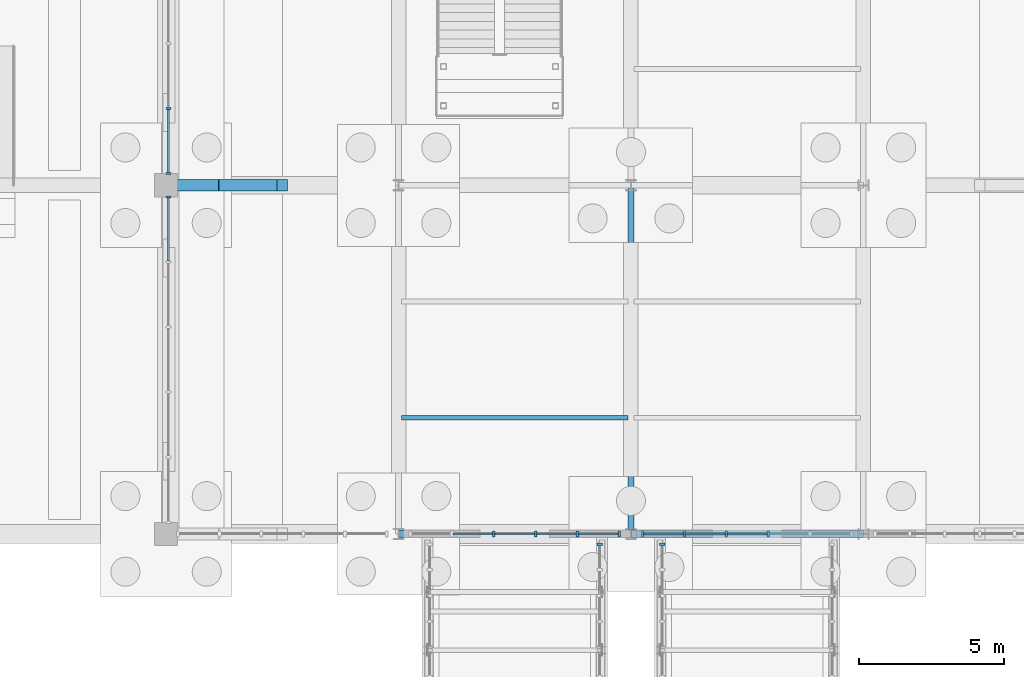
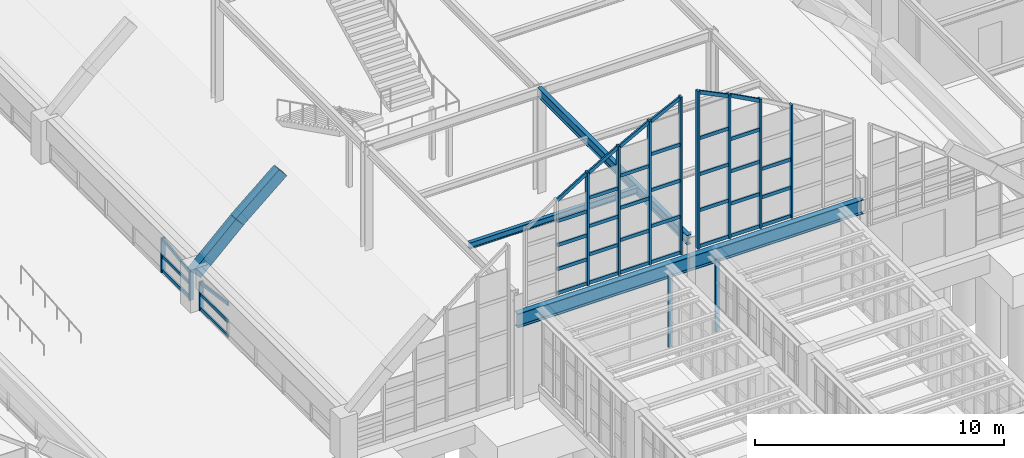
# One storey, part 40 of 129: 52 members, 6 beams, 6 elements without a shape of their own.
"""IFC4 building model written with IfcOpenShell, lengths in metres."""

from ifc_helpers import new_model, si_unit, direction, frame, origin, origin_2d, place, context, subcontext, project, spatial, rectangle, i_section, extrude, material, layer, layer_set, material_profile, profile_set, type_object, element, aggregate, save


model = new_model("IFC4")

# Units and contexts
model_context = context("Model", 3, precision=1e-05, world=origin(), true_north=direction((0.0, 1.0)))
body_context = subcontext(model_context, "Body", "Model", "MODEL_VIEW")
ifc_project = project(units=[si_unit("LENGTHUNIT", "METRE"), si_unit("AREAUNIT", "SQUARE_METRE"), si_unit("VOLUMEUNIT", "CUBIC_METRE"), si_unit("PLANEANGLEUNIT", "RADIAN"), si_unit("MASSUNIT", "GRAM", prefix="KILO")], contexts=[model_context])

# Site, building, storey
site_placement = place(None, origin())
site = spatial("IfcSite", under=ifc_project, at=site_placement, CompositionType="ELEMENT")
building_placement = place(site_placement, origin())
building = spatial("IfcBuilding", under=site, at=building_placement, Name="Sitalva Quay Ferry Terminal", CompositionType="ELEMENT")
storey_placement = place(building_placement, origin())
storey = spatial("IfcBuildingStorey", under=building, at=storey_placement, Name="L01", CompositionType="ELEMENT", Elevation=0.0)

# Beams
ifc_material_1 = material(Name="Concrete C40/50", Category="concrete")
ifc_material_profile_1 = material_profile(ifc_material_1, rectangle(XDim=0.39990234375, YDim=0.550048828125, at=origin_2d()), Name="RC400x550")
ifc_profile_set_1 = profile_set([ifc_material_profile_1], Name="Concrete C40/50")
beam_type_1 = type_object("IfcBeamType", Name="Beam_Arch_RC400x550", PredefinedType="BEAM", material=ifc_profile_set_1)
beam_1_placement = place(storey_placement, frame((42.0, 18.0, 1.6044921875), z_axis=(0.725680279623, 0.0, 0.688032071757), x_axis=(0.0, 1.0, 0.0)))
element("IfcBeam", 1, at=beam_1_placement, inside=storey, type_object=beam_type_1, Name="Vault V1 transverse arch rib 2.1", PredefinedType="BEAM", context=body_context, shape_type="SweptSolid", body=[
    extrude(rectangle(XDim=0.39990234375, YDim=0.550048828125, at=origin_2d()), origin(), (0.0, 0.0, 1.0), 2.756103515625),
])
beam_2_placement = place(storey_placement, frame((44.0, 18.0, 3.5107421875), z_axis=(0.760297282494, 0.0, 0.649575278342), x_axis=(0.0, 1.0, 0.0)))
element("IfcBeam", 2, at=beam_2_placement, inside=storey, type_object=beam_type_1, Name="Vault V1 transverse arch rib 2.2", PredefinedType="BEAM", context=body_context, shape_type="SweptSolid", body=[
    extrude(rectangle(XDim=0.39990234375, YDim=0.550048828125, at=origin_2d()), origin(), (0.0, 0.0, 1.0), 2.630615234375),
])
ifc_material_2 = material(Name="Structural Steel S355JR", Category="steel")
ifc_material_profile_2 = material_profile(ifc_material_2, i_section(OverallWidth=0.194091796875, OverallDepth=0.468994140625, WebThickness=0.0126953125, FlangeThickness=0.0205078125, FilletRadius=0.013916015625, at=origin_2d()), Name="W460x106")
ifc_profile_set_2 = profile_set([ifc_material_profile_2], Name="Structural Steel S355JR")
beam_type_2 = type_object("IfcBeamType", Name="Girder_W460x106", PredefinedType="USERDEFINED", material=ifc_profile_set_2)
beam_3_placement = place(storey_placement, frame((58.0, 6.0, 4.885498046875), z_axis=(0.0, 1.0, 0.0), x_axis=(-1.0, 0.0, 0.0)))
element("IfcBeam", 3, at=beam_3_placement, inside=storey, type_object=beam_type_2, Name="L01 Primary Y girder 0136", ObjectType="GIRDER", PredefinedType="USERDEFINED", context=body_context, shape_type="SweptSolid", body=[
    extrude(i_section(OverallWidth=0.194091796875, OverallDepth=0.468994140625, WebThickness=0.0126953125, FlangeThickness=0.0205078125, FilletRadius=0.013916015625, at=origin_2d()), origin(), (0.0, 0.0, 1.0), 12.0),
])
ifc_material_3 = material(Name="Structural Steel S355JR", Category="steel")
ifc_material_profile_3 = material_profile(ifc_material_3, i_section(OverallWidth=0.256103515625, OverallDepth=0.693115234375, WebThickness=0.014404296875, FlangeThickness=0.023681640625, FilletRadius=0.01806640625, at=origin_2d()), Name="W690x170")
ifc_profile_set_3 = profile_set([ifc_material_profile_3], Name="Structural Steel S355JR")
beam_type_3 = type_object("IfcBeamType", Name="Girder_W690x170", PredefinedType="USERDEFINED", material=ifc_profile_set_3)
for number, where, z_axis, x_axis, name in (
    (4, (50.0, 6.0, 3.783447265625), (1.0, 0.0, 0.0), (0.0, 1.0, 0.0), "L01 V1 south gable west portal header 0002"),
    (5, (58.0, 6.0, 3.783447265625), (1.0, 0.0, 0.0), (0.0, 1.0, 0.0), "L01 V1 south gable mid portal header 0003"),
):
    element("IfcBeam", number, at=place(storey_placement, frame(where, z_axis=z_axis, x_axis=x_axis)), inside=storey, type_object=beam_type_3, Name=name, ObjectType="GIRDER", PredefinedType="USERDEFINED", context=body_context, shape_type="SweptSolid", body=[
        extrude(i_section(OverallWidth=0.256103515625, OverallDepth=0.693115234375, WebThickness=0.014404296875, FlangeThickness=0.023681640625, FilletRadius=0.01806640625, at=origin_2d()), origin(), (0.0, 0.0, 1.0), 8.0),
    ])
ifc_material_4 = material(Name="Structural Steel S355JR", Category="steel")
ifc_material_profile_4 = material_profile(ifc_material_4, i_section(OverallWidth=0.166015625, OverallDepth=0.31298828125, WebThickness=0.006591796875, FlangeThickness=0.01123046875, FilletRadius=0.010986328125, at=origin_2d()), Name="W310x45")
ifc_profile_set_4 = profile_set([ifc_material_profile_4], Name="Structural Steel S355JR")
beam_type_4 = type_object("IfcBeamType", Name="Joist_W310x45", PredefinedType="JOIST", material=ifc_profile_set_4)
beam_4_placement = place(storey_placement, frame((50.096923828125, 10.0, 4.96337890625), z_axis=(1.0, 0.0, 0.0), x_axis=(0.0, 1.0, 0.0)))
element("IfcBeam", 6, at=beam_4_placement, inside=storey, type_object=beam_type_4, Name="L01 Secondary joist 0140", PredefinedType="JOIST", context=body_context, shape_type="SweptSolid", body=[
    extrude(i_section(OverallWidth=0.166015625, OverallDepth=0.31298828125, WebThickness=0.006591796875, FlangeThickness=0.01123046875, FilletRadius=0.010986328125, at=origin_2d()), origin(), (0.0, 0.0, 1.0), 7.80615234375),
])

# Curtain wall, member
ifc_material_5 = material(Name="Anodised Aluminium & Low-E Glazing", Category="aluminium")
ifc_layer_1 = layer(ifc_material_5, 0.159912109375)
ifc_layer_set_1 = layer_set([ifc_layer_1], Name="Anodised Aluminium & Low-E Glazing")
curtain_wall_type_1 = type_object("IfcCurtainWallType", Name="CW_VaultArch_Glazed", PredefinedType="USERDEFINED", material=ifc_layer_set_1)
curtain_wall_1_placement = place(storey_placement, origin())
curtain_wall_1 = element("IfcCurtainWall", 7, at=curtain_wall_1_placement, inside=storey, type_object=curtain_wall_type_1, Name="V1-W shallow-arch base glazing (CW-L01-014)", ObjectType="CURTAIN_WALL", PredefinedType="USERDEFINED")
ifc_material_6 = material(Name="Anodised Aluminium 6063-T6", Category="aluminium")
ifc_material_profile_5 = material_profile(ifc_material_6, rectangle(XDim=0.070068359375, YDim=0.181884765625, at=origin_2d()), Name="ALU70x182")
ifc_profile_set_5 = profile_set([ifc_material_profile_5], Name="Anodised Aluminium 6063-T6")
member_type_1 = type_object("IfcMemberType", Name="Mullion_Alu_65x170", PredefinedType="MULLION", material=ifc_profile_set_5)
member_1_placement = place(storey_placement, frame((42.080078125, 17.60009765625, 0.0), z_axis=(0.0, 0.0, 1.0), x_axis=(0.0, 1.0, 0.0)))
member_1 = element("IfcMember", 8, at=member_1_placement, type_object=member_type_1, Name="CW-L01-014-M5", PredefinedType="MULLION", context=body_context, shape_type="SweptSolid", body=[
    extrude(rectangle(XDim=0.070068359375, YDim=0.181884765625, at=origin_2d()), origin(), (0.0, 0.0, 1.0), 1.39990234375),
])

# Curtain wall, members
curtain_wall_2_placement = place(storey_placement, origin())
curtain_wall_2 = element("IfcCurtainWall", 9, at=curtain_wall_2_placement, inside=storey, type_object=curtain_wall_type_1, Name="V1-W shallow-arch base glazing (CW-L01-017)", ObjectType="CURTAIN_WALL", PredefinedType="USERDEFINED")
member_2_placement = place(storey_placement, frame((42.080078125, 18.39990234375, 0.0), z_axis=(0.0, 0.0, 1.0), x_axis=(0.0, 1.0, 0.0)))
member_2 = element("IfcMember", 10, at=member_2_placement, type_object=member_type_1, Name="CW-L01-017-M0", PredefinedType="MULLION", context=body_context, shape_type="SweptSolid", body=[
    extrude(rectangle(XDim=0.070068359375, YDim=0.181884765625, at=origin_2d()), origin(), (0.0, 0.0, 1.0), 1.39990234375),
])
member_3_placement = place(storey_placement, frame((42.080078125, 20.639892578125, 0.0), z_axis=(0.0, 0.0, 1.0), x_axis=(0.0, 1.0, 0.0)))
member_3 = element("IfcMember", 11, at=member_3_placement, type_object=member_type_1, Name="CW-L01-017-M1", PredefinedType="MULLION", context=body_context, shape_type="SweptSolid", body=[
    extrude(rectangle(XDim=0.070068359375, YDim=0.181884765625, at=origin_2d()), origin(), (0.0, 0.0, 1.0), 1.707275390625),
])

# Curtain wall, member
ifc_material_7 = material(Name="Anodised Aluminium & Low-E Glazing", Category="aluminium")
ifc_layer_2 = layer(ifc_material_7, 0.159912109375)
ifc_layer_set_2 = layer_set([ifc_layer_2], Name="Anodised Aluminium & Low-E Glazing")
curtain_wall_type_2 = type_object("IfcCurtainWallType", Name="CW_Bridge_Glazed", PredefinedType="USERDEFINED", material=ifc_layer_set_2)
curtain_wall_3_placement = place(storey_placement, origin())
curtain_wall_3 = element("IfcCurtainWall", 12, at=curtain_wall_3_placement, inside=storey, type_object=curtain_wall_type_2, Name="Boarding bridge BB2 E4 side glazing (CW-L01-048)", ObjectType="CURTAIN_WALL", PredefinedType="USERDEFINED")
ifc_material_8 = material(Name="Anodised Aluminium 6063-T6", Category="aluminium")
ifc_material_profile_6 = material_profile(ifc_material_8, rectangle(XDim=0.080078125, YDim=0.18505859375, at=origin_2d()), Name="ALU80x185")
ifc_profile_set_6 = profile_set([ifc_material_profile_6], Name="Anodised Aluminium 6063-T6")
member_type_2 = type_object("IfcMemberType", Name="Mullion_Alu_80x185", PredefinedType="MULLION", material=ifc_profile_set_6)
member_4_placement = place(storey_placement, frame((56.919921875, 5.64990234375, 0.25), z_axis=(0.0, 0.0, 1.0), x_axis=(0.0, 1.0, 0.0)))
member_4 = element("IfcMember", 13, at=member_4_placement, type_object=member_type_2, Name="CW-L01-048-M4", PredefinedType="MULLION", context=body_context, shape_type="SweptSolid", body=[
    extrude(rectangle(XDim=0.080078125, YDim=0.18505859375, at=origin_2d()), origin(), (0.0, 0.0, 1.0), 3.530029296875),
])
aggregate(curtain_wall_3, [member_4])

curtain_wall_4_placement = place(storey_placement, origin())
curtain_wall_4 = element("IfcCurtainWall", 14, at=curtain_wall_4_placement, inside=storey, type_object=curtain_wall_type_2, Name="Boarding bridge BB3 W4 side glazing (CW-L01-052)", ObjectType="CURTAIN_WALL", PredefinedType="USERDEFINED")
member_5_placement = place(storey_placement, frame((59.080078125, 5.64990234375, 0.25), z_axis=(0.0, 0.0, 1.0), x_axis=(0.0, 1.0, 0.0)))
member_5 = element("IfcMember", 15, at=member_5_placement, type_object=member_type_2, Name="CW-L01-052-M4", PredefinedType="MULLION", context=body_context, shape_type="SweptSolid", body=[
    extrude(rectangle(XDim=0.080078125, YDim=0.18505859375, at=origin_2d()), origin(), (0.0, 0.0, 1.0), 3.530029296875),
])
aggregate(curtain_wall_4, [member_5])

# Curtain wall, members
ifc_material_9 = material(Name="Anodised Aluminium & Low-E Glazing", Category="aluminium")
ifc_layer_3 = layer(ifc_material_9, 0.159912109375)
ifc_layer_set_3 = layer_set([ifc_layer_3], Name="Anodised Aluminium & Low-E Glazing")
curtain_wall_type_3 = type_object("IfcCurtainWallType", Name="CW_Gable_Unitised", PredefinedType="USERDEFINED", material=ifc_layer_set_3)
curtain_wall_5_placement = place(storey_placement, origin())
curtain_wall_5 = element("IfcCurtainWall", 16, at=curtain_wall_5_placement, inside=storey, type_object=curtain_wall_type_3, Name="V1 south gable west-apex pointed glazing (CW-L01-006)", ObjectType="CURTAIN_WALL", PredefinedType="USERDEFINED")
ifc_material_10 = material(Name="Anodised Aluminium 6063-T6", Category="aluminium")
ifc_material_profile_7 = material_profile(ifc_material_10, rectangle(XDim=0.090087890625, YDim=0.199951171875, at=origin_2d()), Name="ALU90x200")
ifc_profile_set_7 = profile_set([ifc_material_profile_7], Name="Anodised Aluminium 6063-T6")
member_type_3 = type_object("IfcMemberType", Name="Mullion_Alu_90x200", PredefinedType="MULLION", material=ifc_profile_set_7)
member_6_placement = place(storey_placement, frame((53.280029296875, 6.0, 4.35009765625), z_axis=(0.0, 0.0, 1.0), x_axis=(1.0, 0.0, 0.0)))
member_6 = element("IfcMember", 17, at=member_6_placement, type_object=member_type_3, Name="CW-L01-006-M2", PredefinedType="MULLION", context=body_context, shape_type="SweptSolid", body=[
    extrude(rectangle(XDim=0.090087890625, YDim=0.199951171875, at=origin_2d()), origin(), (0.0, 0.0, 1.0), 5.5390625),
])
member_7_placement = place(storey_placement, frame((54.719970703125, 6.0, 4.35009765625), z_axis=(0.0, 0.0, 1.0), x_axis=(1.0, 0.0, 0.0)))
member_7 = element("IfcMember", 18, at=member_7_placement, type_object=member_type_3, Name="CW-L01-006-M3", PredefinedType="MULLION", context=body_context, shape_type="SweptSolid", body=[
    extrude(rectangle(XDim=0.090087890625, YDim=0.199951171875, at=origin_2d()), origin(), (0.0, 0.0, 1.0), 6.320068359375),
])
member_8_placement = place(storey_placement, frame((56.159912109375, 6.0, 4.35009765625), z_axis=(0.0, 0.0, 1.0), x_axis=(1.0, 0.0, 0.0)))
member_8 = element("IfcMember", 19, at=member_8_placement, type_object=member_type_3, Name="CW-L01-006-M4", PredefinedType="MULLION", context=body_context, shape_type="SweptSolid", body=[
    extrude(rectangle(XDim=0.090087890625, YDim=0.199951171875, at=origin_2d()), origin(), (0.0, 0.0, 1.0), 7.0517578125),
])
member_9_placement = place(storey_placement, frame((57.60009765625, 6.0, 4.35009765625), z_axis=(0.0, 0.0, 1.0), x_axis=(1.0, 0.0, 0.0)))
member_9 = element("IfcMember", 20, at=member_9_placement, type_object=member_type_3, Name="CW-L01-006-M5", PredefinedType="MULLION", context=body_context, shape_type="SweptSolid", body=[
    extrude(rectangle(XDim=0.090087890625, YDim=0.199951171875, at=origin_2d()), origin(), (0.0, 0.0, 1.0), 7.715576171875),
])

curtain_wall_6_placement = place(storey_placement, origin())
curtain_wall_6 = element("IfcCurtainWall", 21, at=curtain_wall_6_placement, inside=storey, type_object=curtain_wall_type_3, Name="V1 south gable east-apex pointed glazing (CW-L01-007)", ObjectType="CURTAIN_WALL", PredefinedType="USERDEFINED")
member_10_placement = place(storey_placement, frame((58.39990234375, 6.0, 4.35009765625), z_axis=(0.0, 0.0, 1.0), x_axis=(1.0, 0.0, 0.0)))
member_10 = element("IfcMember", 22, at=member_10_placement, type_object=member_type_3, Name="CW-L01-007-M0", PredefinedType="MULLION", context=body_context, shape_type="SweptSolid", body=[
    extrude(rectangle(XDim=0.090087890625, YDim=0.199951171875, at=origin_2d()), origin(), (0.0, 0.0, 1.0), 7.715576171875),
])
member_11_placement = place(storey_placement, frame((59.840087890625, 6.0, 4.35009765625), z_axis=(0.0, 0.0, 1.0), x_axis=(1.0, 0.0, 0.0)))
member_11 = element("IfcMember", 23, at=member_11_placement, type_object=member_type_3, Name="CW-L01-007-M1", PredefinedType="MULLION", context=body_context, shape_type="SweptSolid", body=[
    extrude(rectangle(XDim=0.090087890625, YDim=0.199951171875, at=origin_2d()), origin(), (0.0, 0.0, 1.0), 7.0517578125),
])
member_12_placement = place(storey_placement, frame((61.280029296875, 6.0, 4.35009765625), z_axis=(0.0, 0.0, 1.0), x_axis=(1.0, 0.0, 0.0)))
member_12 = element("IfcMember", 24, at=member_12_placement, type_object=member_type_3, Name="CW-L01-007-M2", PredefinedType="MULLION", context=body_context, shape_type="SweptSolid", body=[
    extrude(rectangle(XDim=0.090087890625, YDim=0.199951171875, at=origin_2d()), origin(), (0.0, 0.0, 1.0), 6.320068359375),
])
member_13_placement = place(storey_placement, frame((62.719970703125, 6.0, 4.35009765625), z_axis=(0.0, 0.0, 1.0), x_axis=(1.0, 0.0, 0.0)))
member_13 = element("IfcMember", 25, at=member_13_placement, type_object=member_type_3, Name="CW-L01-007-M3", PredefinedType="MULLION", context=body_context, shape_type="SweptSolid", body=[
    extrude(rectangle(XDim=0.090087890625, YDim=0.199951171875, at=origin_2d()), origin(), (0.0, 0.0, 1.0), 5.5390625),
])

# Member
ifc_material_11 = material(Name="Anodised Aluminium 6063-T6", Category="aluminium")
ifc_material_profile_8 = material_profile(ifc_material_11, rectangle(XDim=0.074951171875, YDim=0.155029296875, at=origin_2d()), Name="ALU75x155")
ifc_profile_set_8 = profile_set([ifc_material_profile_8], Name="Anodised Aluminium 6063-T6")
member_type_4 = type_object("IfcMemberType", Name="Transom_Alu_70x135", PredefinedType="MULLION", material=ifc_profile_set_8)
member_14_placement = place(storey_placement, frame((42.080078125, 15.39501953125, 0.077392578125), z_axis=(0.0, 1.0, 0.0), x_axis=(-1.0, 0.0, 0.0)))
member_14 = element("IfcMember", 26, at=member_14_placement, type_object=member_type_4, Name="CW-L01-014-T4-0", ObjectType="TRANSOM", PredefinedType="USERDEFINED", context=body_context, shape_type="SweptSolid", body=[
    extrude(rectangle(XDim=0.074951171875, YDim=0.155029296875, at=origin_2d()), origin(), (0.0, 0.0, 1.0), 2.169921875),
])

member_15_placement = place(storey_placement, frame((42.080078125, 15.39501953125, 0.777587890625), z_axis=(0.0, 1.0, 0.0), x_axis=(-1.0, 0.0, 0.0)))
member_15 = element("IfcMember", 27, at=member_15_placement, type_object=member_type_4, Name="CW-L01-014-T4-1", ObjectType="TRANSOM", PredefinedType="USERDEFINED", context=body_context, shape_type="SweptSolid", body=[
    extrude(rectangle(XDim=0.074951171875, YDim=0.155029296875, at=origin_2d()), origin(), (0.0, 0.0, 1.0), 2.169921875),
])

member_16_placement = place(storey_placement, frame((42.080078125, 15.39501953125, 1.629638671875), z_axis=(0.0, 0.990131365095, -0.140142355681), x_axis=(-1.0, 0.0, 0.0)))
member_16 = element("IfcMember", 28, at=member_16_placement, type_object=member_type_4, Name="CW-L01-014-T4-2", ObjectType="TRANSOM", PredefinedType="USERDEFINED", context=body_context, shape_type="SweptSolid", body=[
    extrude(rectangle(XDim=0.074951171875, YDim=0.155029296875, at=origin_2d()), origin(), (0.0, 0.0, 1.0), 2.191650390625),
])

aggregate(curtain_wall_1, [member_1, member_14, member_15, member_16])

member_17_placement = place(storey_placement, frame((42.080078125, 18.43505859375, 0.077392578125), z_axis=(0.0, 1.0, 0.0), x_axis=(-1.0, 0.0, 0.0)))
member_17 = element("IfcMember", 29, at=member_17_placement, type_object=member_type_4, Name="CW-L01-017-T0-0", ObjectType="TRANSOM", PredefinedType="USERDEFINED", context=body_context, shape_type="SweptSolid", body=[
    extrude(rectangle(XDim=0.074951171875, YDim=0.155029296875, at=origin_2d()), origin(), (0.0, 0.0, 1.0), 2.169921875),
])

member_18_placement = place(storey_placement, frame((42.080078125, 18.43505859375, 0.777587890625), z_axis=(0.0, 1.0, 0.0), x_axis=(-1.0, 0.0, 0.0)))
member_18 = element("IfcMember", 30, at=member_18_placement, type_object=member_type_4, Name="CW-L01-017-T0-1", ObjectType="TRANSOM", PredefinedType="USERDEFINED", context=body_context, shape_type="SweptSolid", body=[
    extrude(rectangle(XDim=0.074951171875, YDim=0.155029296875, at=origin_2d()), origin(), (0.0, 0.0, 1.0), 2.169921875),
])

member_19_placement = place(storey_placement, frame((42.080078125, 18.43505859375, 1.322509765625), z_axis=(0.0, 0.990131365095, 0.140142355681), x_axis=(-1.0, 0.0, 0.0)))
member_19 = element("IfcMember", 31, at=member_19_placement, type_object=member_type_4, Name="CW-L01-017-T0-2", ObjectType="TRANSOM", PredefinedType="USERDEFINED", context=body_context, shape_type="SweptSolid", body=[
    extrude(rectangle(XDim=0.074951171875, YDim=0.155029296875, at=origin_2d()), origin(), (0.0, 0.0, 1.0), 2.191650390625),
])

aggregate(curtain_wall_2, [member_2, member_3, member_17, member_18, member_19])

ifc_material_12 = material(Name="Anodised Aluminium 6063-T6", Category="aluminium")
ifc_material_profile_9 = material_profile(ifc_material_12, rectangle(XDim=0.080078125, YDim=0.1650390625, at=origin_2d()), Name="ALU80x165")
ifc_profile_set_9 = profile_set([ifc_material_profile_9], Name="Anodised Aluminium 6063-T6")
member_type_5 = type_object("IfcMemberType", Name="Transom_Alu_80x165", PredefinedType="MULLION", material=ifc_profile_set_9)
member_20_placement = place(storey_placement, frame((51.885009765625, 6.0, 4.4326171875), z_axis=(1.0, 0.0, 0.0), x_axis=(0.0, 1.0, 0.0)))
member_20 = element("IfcMember", 32, at=member_20_placement, type_object=member_type_5, Name="CW-L01-006-T1-0", ObjectType="TRANSOM", PredefinedType="USERDEFINED", context=body_context, shape_type="SweptSolid", body=[
    extrude(rectangle(XDim=0.080078125, YDim=0.1650390625, at=origin_2d()), origin(), (0.0, 0.0, 1.0), 1.35009765625),
])

member_21_placement = place(storey_placement, frame((51.885009765625, 6.0, 5.609375), z_axis=(1.0, 0.0, 0.0), x_axis=(0.0, 1.0, 0.0)))
member_21 = element("IfcMember", 33, at=member_21_placement, type_object=member_type_5, Name="CW-L01-006-T1-1", ObjectType="TRANSOM", PredefinedType="USERDEFINED", context=body_context, shape_type="SweptSolid", body=[
    extrude(rectangle(XDim=0.080078125, YDim=0.1650390625, at=origin_2d()), origin(), (0.0, 0.0, 1.0), 1.35009765625),
])

member_22_placement = place(storey_placement, frame((51.885009765625, 6.0, 6.786376953125), z_axis=(1.0, 0.0, 0.0), x_axis=(0.0, 1.0, 0.0)))
member_22 = element("IfcMember", 34, at=member_22_placement, type_object=member_type_5, Name="CW-L01-006-T1-2", ObjectType="TRANSOM", PredefinedType="USERDEFINED", context=body_context, shape_type="SweptSolid", body=[
    extrude(rectangle(XDim=0.080078125, YDim=0.1650390625, at=origin_2d()), origin(), (0.0, 0.0, 1.0), 1.35009765625),
])

member_23_placement = place(storey_placement, frame((51.885009765625, 6.0, 7.96337890625), z_axis=(1.0, 0.0, 0.0), x_axis=(0.0, 1.0, 0.0)))
member_23 = element("IfcMember", 35, at=member_23_placement, type_object=member_type_5, Name="CW-L01-006-T1-3", ObjectType="TRANSOM", PredefinedType="USERDEFINED", context=body_context, shape_type="SweptSolid", body=[
    extrude(rectangle(XDim=0.080078125, YDim=0.1650390625, at=origin_2d()), origin(), (0.0, 0.0, 1.0), 1.35009765625),
])

member_24_placement = place(storey_placement, frame((51.885009765625, 6.0, 8.975341796875), z_axis=(0.851526115353, 0.0, 0.524312192184), x_axis=(0.0, 1.0, 0.0)))
member_24 = element("IfcMember", 36, at=member_24_placement, type_object=member_type_5, Name="CW-L01-006-T1-4", ObjectType="TRANSOM", PredefinedType="USERDEFINED", context=body_context, shape_type="SweptSolid", body=[
    extrude(rectangle(XDim=0.080078125, YDim=0.1650390625, at=origin_2d()), origin(), (0.0, 0.0, 1.0), 1.58544921875),
])

member_25_placement = place(storey_placement, frame((53.324951171875, 6.0, 4.4326171875), z_axis=(1.0, 0.0, 0.0), x_axis=(0.0, 1.0, 0.0)))
member_25 = element("IfcMember", 37, at=member_25_placement, type_object=member_type_5, Name="CW-L01-006-T2-0", ObjectType="TRANSOM", PredefinedType="USERDEFINED", context=body_context, shape_type="SweptSolid", body=[
    extrude(rectangle(XDim=0.080078125, YDim=0.1650390625, at=origin_2d()), origin(), (0.0, 0.0, 1.0), 1.35009765625),
])

member_26_placement = place(storey_placement, frame((53.324951171875, 6.0, 5.8173828125), z_axis=(1.0, 0.0, 0.0), x_axis=(0.0, 1.0, 0.0)))
member_26 = element("IfcMember", 38, at=member_26_placement, type_object=member_type_5, Name="CW-L01-006-T2-1", ObjectType="TRANSOM", PredefinedType="USERDEFINED", context=body_context, shape_type="SweptSolid", body=[
    extrude(rectangle(XDim=0.080078125, YDim=0.1650390625, at=origin_2d()), origin(), (0.0, 0.0, 1.0), 1.35009765625),
])

member_27_placement = place(storey_placement, frame((53.324951171875, 6.0, 7.2021484375), z_axis=(1.0, 0.0, 0.0), x_axis=(0.0, 1.0, 0.0)))
member_27 = element("IfcMember", 39, at=member_27_placement, type_object=member_type_5, Name="CW-L01-006-T2-2", ObjectType="TRANSOM", PredefinedType="USERDEFINED", context=body_context, shape_type="SweptSolid", body=[
    extrude(rectangle(XDim=0.080078125, YDim=0.1650390625, at=origin_2d()), origin(), (0.0, 0.0, 1.0), 1.35009765625),
])

member_28_placement = place(storey_placement, frame((53.324951171875, 6.0, 8.5869140625), z_axis=(1.0, 0.0, 0.0), x_axis=(0.0, 1.0, 0.0)))
member_28 = element("IfcMember", 40, at=member_28_placement, type_object=member_type_5, Name="CW-L01-006-T2-3", ObjectType="TRANSOM", PredefinedType="USERDEFINED", context=body_context, shape_type="SweptSolid", body=[
    extrude(rectangle(XDim=0.080078125, YDim=0.1650390625, at=origin_2d()), origin(), (0.0, 0.0, 1.0), 1.35009765625),
])

member_29_placement = place(storey_placement, frame((53.324951171875, 6.0, 9.806640625), z_axis=(0.865601271531, 0.0, 0.500733900114), x_axis=(0.0, 1.0, 0.0)))
member_29 = element("IfcMember", 41, at=member_29_placement, type_object=member_type_5, Name="CW-L01-006-T2-4", ObjectType="TRANSOM", PredefinedType="USERDEFINED", context=body_context, shape_type="SweptSolid", body=[
    extrude(rectangle(XDim=0.080078125, YDim=0.1650390625, at=origin_2d()), origin(), (0.0, 0.0, 1.0), 1.559814453125),
])

member_30_placement = place(storey_placement, frame((54.764892578125, 6.0, 4.4326171875), z_axis=(1.0, 0.0, 0.0), x_axis=(0.0, 1.0, 0.0)))
member_30 = element("IfcMember", 42, at=member_30_placement, type_object=member_type_5, Name="CW-L01-006-T3-0", ObjectType="TRANSOM", PredefinedType="USERDEFINED", context=body_context, shape_type="SweptSolid", body=[
    extrude(rectangle(XDim=0.080078125, YDim=0.1650390625, at=origin_2d()), origin(), (0.0, 0.0, 1.0), 1.35009765625),
])

member_31_placement = place(storey_placement, frame((54.764892578125, 6.0, 6.012451171875), z_axis=(1.0, 0.0, 0.0), x_axis=(0.0, 1.0, 0.0)))
member_31 = element("IfcMember", 43, at=member_31_placement, type_object=member_type_5, Name="CW-L01-006-T3-1", ObjectType="TRANSOM", PredefinedType="USERDEFINED", context=body_context, shape_type="SweptSolid", body=[
    extrude(rectangle(XDim=0.080078125, YDim=0.1650390625, at=origin_2d()), origin(), (0.0, 0.0, 1.0), 1.35009765625),
])

member_32_placement = place(storey_placement, frame((54.764892578125, 6.0, 7.592529296875), z_axis=(1.0, 0.0, 0.0), x_axis=(0.0, 1.0, 0.0)))
member_32 = element("IfcMember", 44, at=member_32_placement, type_object=member_type_5, Name="CW-L01-006-T3-2", ObjectType="TRANSOM", PredefinedType="USERDEFINED", context=body_context, shape_type="SweptSolid", body=[
    extrude(rectangle(XDim=0.080078125, YDim=0.1650390625, at=origin_2d()), origin(), (0.0, 0.0, 1.0), 1.35009765625),
])

member_33_placement = place(storey_placement, frame((54.764892578125, 6.0, 9.172607421875), z_axis=(1.0, 0.0, 0.0), x_axis=(0.0, 1.0, 0.0)))
member_33 = element("IfcMember", 45, at=member_33_placement, type_object=member_type_5, Name="CW-L01-006-T3-3", ObjectType="TRANSOM", PredefinedType="USERDEFINED", context=body_context, shape_type="SweptSolid", body=[
    extrude(rectangle(XDim=0.080078125, YDim=0.1650390625, at=origin_2d()), origin(), (0.0, 0.0, 1.0), 1.35009765625),
])

member_34_placement = place(storey_placement, frame((54.764892578125, 6.0, 10.587646484375), z_axis=(0.879186524135, 0.0, 0.476477760006), x_axis=(0.0, 1.0, 0.0)))
member_34 = element("IfcMember", 46, at=member_34_placement, type_object=member_type_5, Name="CW-L01-006-T3-4", ObjectType="TRANSOM", PredefinedType="USERDEFINED", context=body_context, shape_type="SweptSolid", body=[
    extrude(rectangle(XDim=0.080078125, YDim=0.1650390625, at=origin_2d()), origin(), (0.0, 0.0, 1.0), 1.53564453125),
])

member_35_placement = place(storey_placement, frame((56.205078125, 6.0, 4.4326171875), z_axis=(1.0, 0.0, 0.0), x_axis=(0.0, 1.0, 0.0)))
member_35 = element("IfcMember", 47, at=member_35_placement, type_object=member_type_5, Name="CW-L01-006-T4-0", ObjectType="TRANSOM", PredefinedType="USERDEFINED", context=body_context, shape_type="SweptSolid", body=[
    extrude(rectangle(XDim=0.080078125, YDim=0.1650390625, at=origin_2d()), origin(), (0.0, 0.0, 1.0), 1.349853515625),
])

member_36_placement = place(storey_placement, frame((56.205078125, 6.0, 6.195556640625), z_axis=(1.0, 0.0, 0.0), x_axis=(0.0, 1.0, 0.0)))
member_36 = element("IfcMember", 48, at=member_36_placement, type_object=member_type_5, Name="CW-L01-006-T4-1", ObjectType="TRANSOM", PredefinedType="USERDEFINED", context=body_context, shape_type="SweptSolid", body=[
    extrude(rectangle(XDim=0.080078125, YDim=0.1650390625, at=origin_2d()), origin(), (0.0, 0.0, 1.0), 1.349853515625),
])

member_37_placement = place(storey_placement, frame((56.205078125, 6.0, 7.95849609375), z_axis=(1.0, 0.0, 0.0), x_axis=(0.0, 1.0, 0.0)))
member_37 = element("IfcMember", 49, at=member_37_placement, type_object=member_type_5, Name="CW-L01-006-T4-2", ObjectType="TRANSOM", PredefinedType="USERDEFINED", context=body_context, shape_type="SweptSolid", body=[
    extrude(rectangle(XDim=0.080078125, YDim=0.1650390625, at=origin_2d()), origin(), (0.0, 0.0, 1.0), 1.349853515625),
])

member_38_placement = place(storey_placement, frame((56.205078125, 6.0, 9.721435546875), z_axis=(1.0, 0.0, 0.0), x_axis=(0.0, 1.0, 0.0)))
member_38 = element("IfcMember", 50, at=member_38_placement, type_object=member_type_5, Name="CW-L01-006-T4-3", ObjectType="TRANSOM", PredefinedType="USERDEFINED", context=body_context, shape_type="SweptSolid", body=[
    extrude(rectangle(XDim=0.080078125, YDim=0.1650390625, at=origin_2d()), origin(), (0.0, 0.0, 1.0), 1.349853515625),
])

member_39_placement = place(storey_placement, frame((56.205078125, 6.0, 11.3193359375), z_axis=(0.897361556222, 0.0, 0.441296088148), x_axis=(0.0, 1.0, 0.0)))
member_39 = element("IfcMember", 51, at=member_39_placement, type_object=member_type_5, Name="CW-L01-006-T4-4", ObjectType="TRANSOM", PredefinedType="USERDEFINED", context=body_context, shape_type="SweptSolid", body=[
    extrude(rectangle(XDim=0.080078125, YDim=0.1650390625, at=origin_2d()), origin(), (0.0, 0.0, 1.0), 1.504150390625),
])

aggregate(curtain_wall_5, [member_6, member_7, member_8, member_9, member_20, member_21, member_22, member_23, member_24, member_25, member_26, member_27, member_28, member_29, member_30, member_31, member_32, member_33, member_34, member_35, member_36, member_37, member_38, member_39])

member_40_placement = place(storey_placement, frame((58.445068359375, 6.0, 4.4326171875), z_axis=(1.0, 0.0, 0.0), x_axis=(0.0, 1.0, 0.0)))
member_40 = element("IfcMember", 52, at=member_40_placement, type_object=member_type_5, Name="CW-L01-007-T0-0", ObjectType="TRANSOM", PredefinedType="USERDEFINED", context=body_context, shape_type="SweptSolid", body=[
    extrude(rectangle(XDim=0.080078125, YDim=0.1650390625, at=origin_2d()), origin(), (0.0, 0.0, 1.0), 1.349853515625),
])

member_41_placement = place(storey_placement, frame((58.445068359375, 6.0, 6.195556640625), z_axis=(1.0, 0.0, 0.0), x_axis=(0.0, 1.0, 0.0)))
member_41 = element("IfcMember", 53, at=member_41_placement, type_object=member_type_5, Name="CW-L01-007-T0-1", ObjectType="TRANSOM", PredefinedType="USERDEFINED", context=body_context, shape_type="SweptSolid", body=[
    extrude(rectangle(XDim=0.080078125, YDim=0.1650390625, at=origin_2d()), origin(), (0.0, 0.0, 1.0), 1.349853515625),
])

member_42_placement = place(storey_placement, frame((58.445068359375, 6.0, 7.95849609375), z_axis=(1.0, 0.0, 0.0), x_axis=(0.0, 1.0, 0.0)))
member_42 = element("IfcMember", 54, at=member_42_placement, type_object=member_type_5, Name="CW-L01-007-T0-2", ObjectType="TRANSOM", PredefinedType="USERDEFINED", context=body_context, shape_type="SweptSolid", body=[
    extrude(rectangle(XDim=0.080078125, YDim=0.1650390625, at=origin_2d()), origin(), (0.0, 0.0, 1.0), 1.349853515625),
])

member_43_placement = place(storey_placement, frame((58.445068359375, 6.0, 9.721435546875), z_axis=(1.0, 0.0, 0.0), x_axis=(0.0, 1.0, 0.0)))
member_43 = element("IfcMember", 55, at=member_43_placement, type_object=member_type_5, Name="CW-L01-007-T0-3", ObjectType="TRANSOM", PredefinedType="USERDEFINED", context=body_context, shape_type="SweptSolid", body=[
    extrude(rectangle(XDim=0.080078125, YDim=0.1650390625, at=origin_2d()), origin(), (0.0, 0.0, 1.0), 1.349853515625),
])

member_44_placement = place(storey_placement, frame((58.445068359375, 6.0, 11.983154296875), z_axis=(0.897361556222, 0.0, -0.441296088148), x_axis=(0.0, 1.0, 0.0)))
member_44 = element("IfcMember", 56, at=member_44_placement, type_object=member_type_5, Name="CW-L01-007-T0-4", ObjectType="TRANSOM", PredefinedType="USERDEFINED", context=body_context, shape_type="SweptSolid", body=[
    extrude(rectangle(XDim=0.080078125, YDim=0.1650390625, at=origin_2d()), origin(), (0.0, 0.0, 1.0), 1.504150390625),
])

member_45_placement = place(storey_placement, frame((59.885009765625, 6.0, 4.4326171875), z_axis=(1.0, 0.0, 0.0), x_axis=(0.0, 1.0, 0.0)))
member_45 = element("IfcMember", 57, at=member_45_placement, type_object=member_type_5, Name="CW-L01-007-T1-0", ObjectType="TRANSOM", PredefinedType="USERDEFINED", context=body_context, shape_type="SweptSolid", body=[
    extrude(rectangle(XDim=0.080078125, YDim=0.1650390625, at=origin_2d()), origin(), (0.0, 0.0, 1.0), 1.35009765625),
])

member_46_placement = place(storey_placement, frame((59.885009765625, 6.0, 6.012451171875), z_axis=(1.0, 0.0, 0.0), x_axis=(0.0, 1.0, 0.0)))
member_46 = element("IfcMember", 58, at=member_46_placement, type_object=member_type_5, Name="CW-L01-007-T1-1", ObjectType="TRANSOM", PredefinedType="USERDEFINED", context=body_context, shape_type="SweptSolid", body=[
    extrude(rectangle(XDim=0.080078125, YDim=0.1650390625, at=origin_2d()), origin(), (0.0, 0.0, 1.0), 1.35009765625),
])

member_47_placement = place(storey_placement, frame((59.885009765625, 6.0, 7.592529296875), z_axis=(1.0, 0.0, 0.0), x_axis=(0.0, 1.0, 0.0)))
member_47 = element("IfcMember", 59, at=member_47_placement, type_object=member_type_5, Name="CW-L01-007-T1-2", ObjectType="TRANSOM", PredefinedType="USERDEFINED", context=body_context, shape_type="SweptSolid", body=[
    extrude(rectangle(XDim=0.080078125, YDim=0.1650390625, at=origin_2d()), origin(), (0.0, 0.0, 1.0), 1.35009765625),
])

member_48_placement = place(storey_placement, frame((59.885009765625, 6.0, 9.172607421875), z_axis=(1.0, 0.0, 0.0), x_axis=(0.0, 1.0, 0.0)))
member_48 = element("IfcMember", 60, at=member_48_placement, type_object=member_type_5, Name="CW-L01-007-T1-3", ObjectType="TRANSOM", PredefinedType="USERDEFINED", context=body_context, shape_type="SweptSolid", body=[
    extrude(rectangle(XDim=0.080078125, YDim=0.1650390625, at=origin_2d()), origin(), (0.0, 0.0, 1.0), 1.35009765625),
])

member_49_placement = place(storey_placement, frame((59.885009765625, 6.0, 11.3193359375), z_axis=(0.879186524135, 0.0, -0.476477760006), x_axis=(0.0, 1.0, 0.0)))
member_49 = element("IfcMember", 61, at=member_49_placement, type_object=member_type_5, Name="CW-L01-007-T1-4", ObjectType="TRANSOM", PredefinedType="USERDEFINED", context=body_context, shape_type="SweptSolid", body=[
    extrude(rectangle(XDim=0.080078125, YDim=0.1650390625, at=origin_2d()), origin(), (0.0, 0.0, 1.0), 1.53564453125),
])

member_50_placement = place(storey_placement, frame((61.324951171875, 6.0, 4.4326171875), z_axis=(1.0, 0.0, 0.0), x_axis=(0.0, 1.0, 0.0)))
member_50 = element("IfcMember", 62, at=member_50_placement, type_object=member_type_5, Name="CW-L01-007-T2-0", ObjectType="TRANSOM", PredefinedType="USERDEFINED", context=body_context, shape_type="SweptSolid", body=[
    extrude(rectangle(XDim=0.080078125, YDim=0.1650390625, at=origin_2d()), origin(), (0.0, 0.0, 1.0), 1.35009765625),
])

member_51_placement = place(storey_placement, frame((61.324951171875, 6.0, 5.8173828125), z_axis=(1.0, 0.0, 0.0), x_axis=(0.0, 1.0, 0.0)))
member_51 = element("IfcMember", 63, at=member_51_placement, type_object=member_type_5, Name="CW-L01-007-T2-1", ObjectType="TRANSOM", PredefinedType="USERDEFINED", context=body_context, shape_type="SweptSolid", body=[
    extrude(rectangle(XDim=0.080078125, YDim=0.1650390625, at=origin_2d()), origin(), (0.0, 0.0, 1.0), 1.35009765625),
])

member_52_placement = place(storey_placement, frame((61.324951171875, 6.0, 7.2021484375), z_axis=(1.0, 0.0, 0.0), x_axis=(0.0, 1.0, 0.0)))
member_52 = element("IfcMember", 64, at=member_52_placement, type_object=member_type_5, Name="CW-L01-007-T2-2", ObjectType="TRANSOM", PredefinedType="USERDEFINED", context=body_context, shape_type="SweptSolid", body=[
    extrude(rectangle(XDim=0.080078125, YDim=0.1650390625, at=origin_2d()), origin(), (0.0, 0.0, 1.0), 1.35009765625),
])

aggregate(curtain_wall_6, [member_10, member_11, member_12, member_13, member_40, member_41, member_42, member_43, member_44, member_45, member_46, member_47, member_48, member_49, member_50, member_51, member_52])

save(model, "model.ifc")
